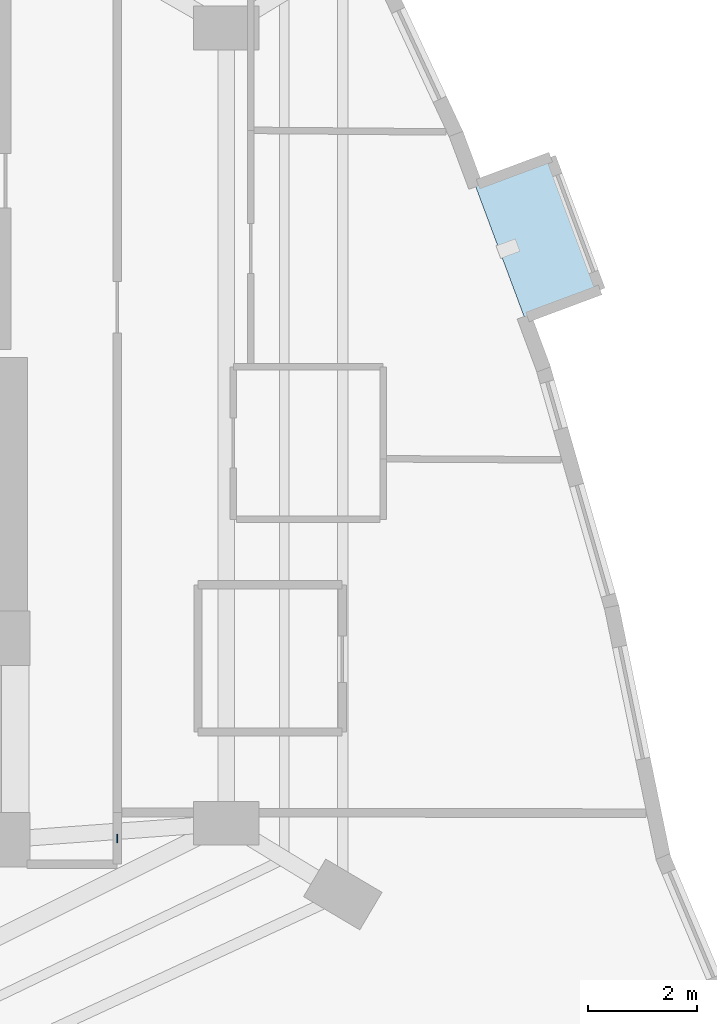
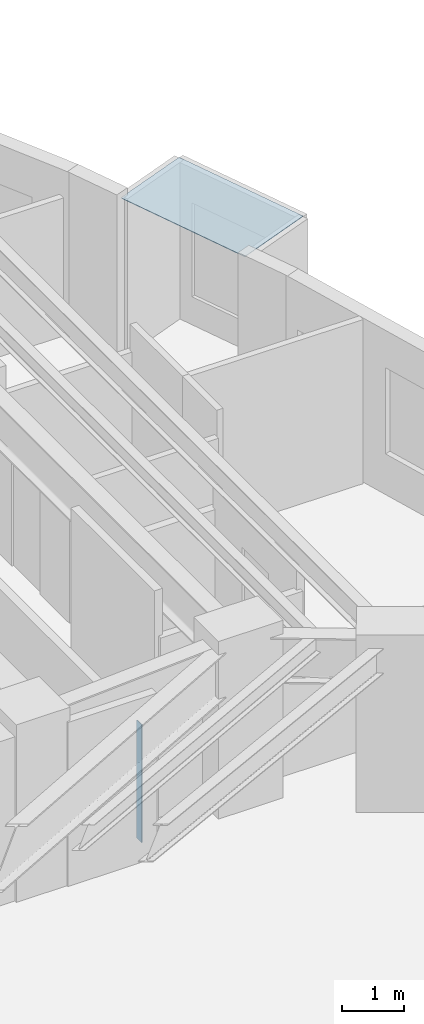
# One storey, part 6 of 14: 2 plates.
"""IFC4 building model written with IfcOpenShell, lengths in metres."""

from ifc_helpers import new_model, si_unit, direction, frame, origin, origin_2d, place, context, subcontext, project, spatial, polyline, rectangle, outline, extrude, material, layer, layer_set, type_object, element, save


model = new_model("IFC4")

# Units and contexts
model_context = context("Model", 3, precision=1e-05, world=origin(), true_north=direction((0.0, 1.0)))
body_context = subcontext(model_context, "Body", "Model", "MODEL_VIEW")
ifc_project = project(units=[si_unit("LENGTHUNIT", "METRE"), si_unit("AREAUNIT", "SQUARE_METRE"), si_unit("VOLUMEUNIT", "CUBIC_METRE"), si_unit("PLANEANGLEUNIT", "RADIAN"), si_unit("MASSUNIT", "GRAM", prefix="KILO")], contexts=[model_context])

# Site, building, storey
site_placement = place(None, origin())
site = spatial("IfcSite", under=ifc_project, at=site_placement, CompositionType="ELEMENT")
building_placement = place(site_placement, origin())
building = spatial("IfcBuilding", under=site, at=building_placement, Name="Miruveldt Soraemaru", CompositionType="ELEMENT")
storey_placement = place(building_placement, frame((0.0, 0.0, 117.89990234375)))
storey = spatial("IfcBuildingStorey", under=building, at=storey_placement, Name="L32", CompositionType="ELEMENT", Elevation=117.89990234375)

# Plates
ifc_material_1 = material(Name="Anodised aluminium EN AW-6063 T6", Category="aluminium")
ifc_layer_1 = layer(ifc_material_1, 0.02001953125, Name="Anodised aluminium EN AW-6063 T6", Category="aluminium")
ifc_layer_set_1 = layer_set([ifc_layer_1], Name="Anodised aluminium EN AW-6063 T6")
plate_type_1 = type_object("IfcPlateType", Name="PLT-PART-TRIM", PredefinedType="SHEET", material=ifc_layer_set_1)
plate_1_placement = place(storey_placement, frame((54.60009765625, 35.5224609375, 0.0), z_axis=(0.0, 0.0, 1.0), x_axis=(0.0, 1.0, 0.0)))
element("IfcPlate", 1, at=plate_1_placement, inside=storey, type_object=plate_type_1, Name="L32 Partition Step Corner Trim Plate 009", PredefinedType="SHEET", context=body_context, shape_type="SweptSolid", body=[
    extrude(rectangle(XDim=0.159912109375, YDim=0.02001953125, at=origin_2d()), origin(), (0.0, 0.0, 1.0), 2.322998046875),
])
ifc_material_2 = material(Name="Standing-seam titanium-zinc sheet", Category="aluminium")
ifc_layer_2 = layer(ifc_material_2, 0.011962890625, Name="Standing-seam titanium-zinc sheet", Category="aluminium")
ifc_layer_set_2 = layer_set([ifc_layer_2], Name="Standing-seam titanium-zinc sheet")
plate_type_2 = type_object("IfcPlateType", Name="PLT-ZINC-12", PredefinedType="SHEET", material=ifc_layer_set_2)
plate_2_placement = place(storey_placement, frame((0.0, 0.0, 3.085205078125)))
element("IfcPlate", 2, at=plate_2_placement, inside=storey, type_object=plate_type_2, Name="L32 Bay Window Zinc Hood Sheet 3", PredefinedType="SHEET", context=body_context, shape_type="SweptSolid", body=[
    extrude(outline(polyline([(62.077880859375, 45.07666015625), (61.17041015625, 47.512939453125), (62.55712890625, 48.029541015625), (63.464599609375, 45.59326171875), (62.077880859375, 45.07666015625)])), origin(), (0.0, 0.0, 1.0), 0.011962890625),
])

save(model, "model.ifc")
